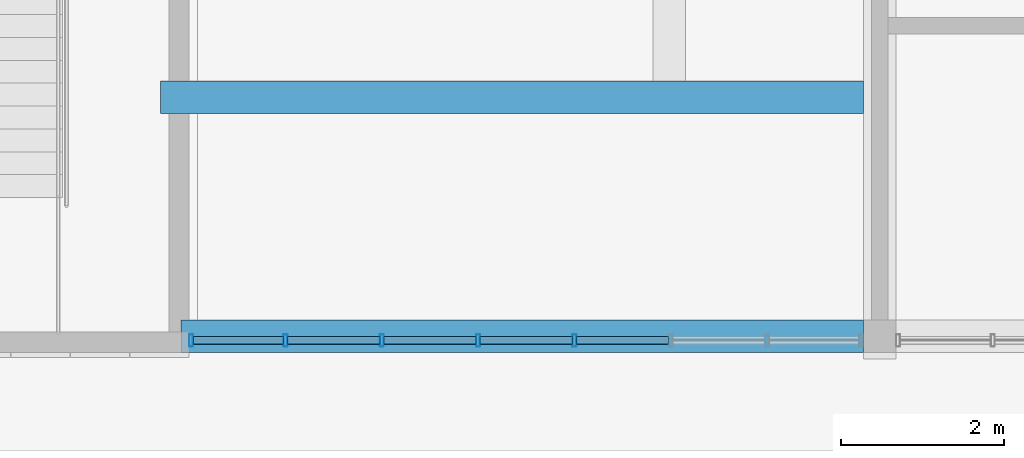
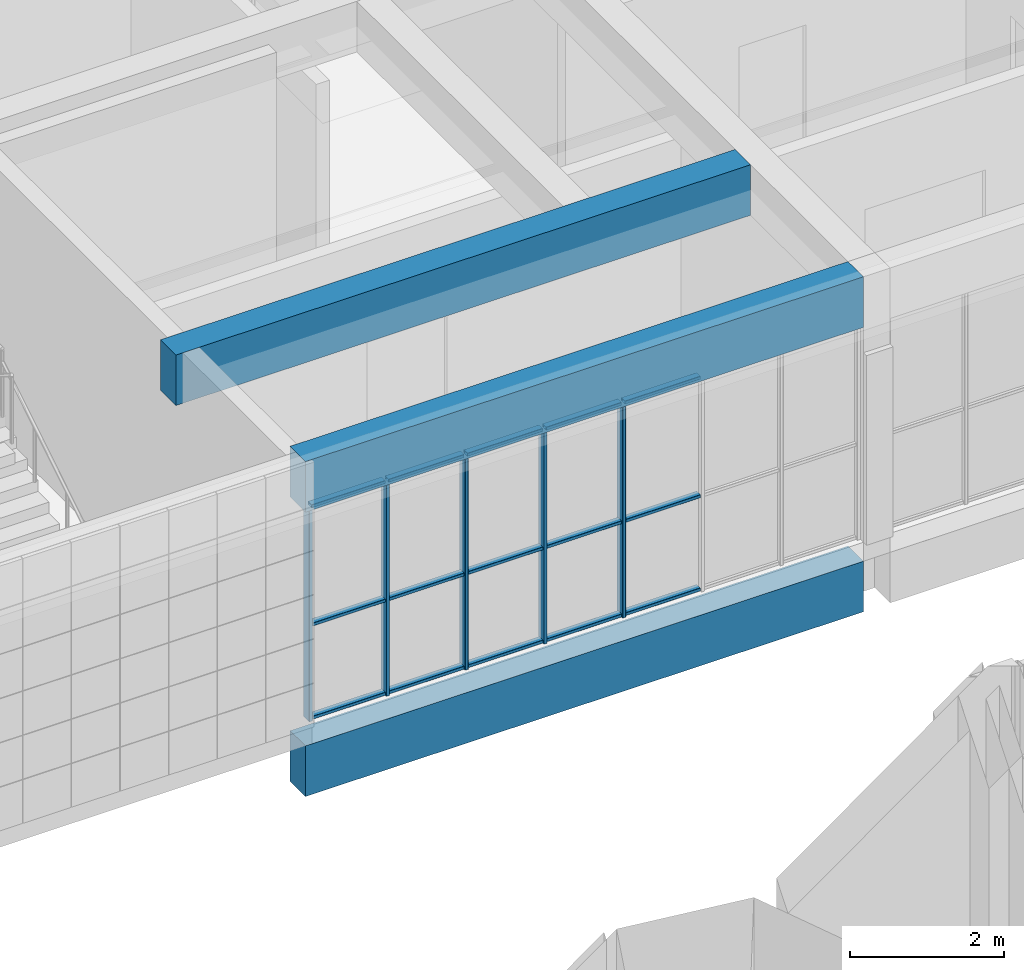
# One storey, part 8 of 92: 20 members, 3 beams, 1 element without a shape of its own.
"""IFC4 building model written with IfcOpenShell, lengths in metres."""

from ifc_helpers import new_model, si_unit, direction, frame, origin, origin_2d, place, context, subcontext, project, spatial, rectangle, hollow_rectangle, extrude, material, material_profile, profile_set, type_object, element, aggregate, save


model = new_model("IFC4")

# Units and contexts
model_context = context("Model", 3, precision=1e-05, world=origin(), true_north=direction((0.0, 1.0)))
body_context = subcontext(model_context, "Body", "Model", "MODEL_VIEW")
ifc_project = project(units=[si_unit("LENGTHUNIT", "METRE"), si_unit("AREAUNIT", "SQUARE_METRE"), si_unit("VOLUMEUNIT", "CUBIC_METRE"), si_unit("PLANEANGLEUNIT", "RADIAN"), si_unit("MASSUNIT", "GRAM", prefix="KILO")], contexts=[model_context])

# Site, building, storey
site_placement = place(None, origin())
site = spatial("IfcSite", under=ifc_project, at=site_placement, CompositionType="ELEMENT")
building_placement = place(site_placement, origin())
building = spatial("IfcBuilding", under=site, at=building_placement, Name="Sun Court Science Centre", CompositionType="ELEMENT")
storey_placement = place(building_placement, frame((0.0, 0.0, 11.25)))
storey = spatial("IfcBuildingStorey", under=building, at=storey_placement, Name="L02", CompositionType="ELEMENT", Elevation=11.25)

# Curtain wall, members
ifc_material_1 = material(Name="Aluminium EN AW-6063 T6", Category="aluminium")
curtain_wall_type = type_object("IfcCurtainWallType", Name="Pavilion curtain wall 1200", PredefinedType="NOTDEFINED", material=ifc_material_1)
curtain_wall_placement = place(storey_placement, origin())
curtain_wall = element("IfcCurtainWall", 1, at=curtain_wall_placement, inside=storey, type_object=curtain_wall_type, Name="Curtain wall V5 S L02 03", PredefinedType="NOTDEFINED")
ifc_material_2 = material(Name="Aluminium EN AW-6063 T6", Category="aluminium")
ifc_material_profile_1 = material_profile(ifc_material_2, hollow_rectangle(XDim=0.050048828125, YDim=0.14990234375, WallThickness=0.00390625, InnerFilletRadius=0.00390625, OuterFilletRadius=0.006103515625, at=origin_2d()), Name="AL 50x150x4")
ifc_profile_set_1 = profile_set([ifc_material_profile_1], Name="Aluminium EN AW-6063 T6")
member_type_1 = type_object("IfcMemberType", Name="Curtain wall mullion AL 50x150", PredefinedType="MULLION", material=ifc_profile_set_1)
member_1_placement = place(storey_placement, frame((42.574951171875, 36.14990234375, 0.0), z_axis=(0.0, 0.0, 1.0), x_axis=(-1.0, 0.0, 0.0)))
member_1 = element("IfcMember", 2, at=member_1_placement, type_object=member_type_1, Name="CW3-10 mullion 8", PredefinedType="MULLION", context=body_context, shape_type="SweptSolid", body=[
    extrude(hollow_rectangle(XDim=0.050048828125, YDim=0.14990234375, WallThickness=0.00390625, InnerFilletRadius=0.00390625, OuterFilletRadius=0.006103515625, at=origin_2d()), origin(), (0.0, 0.0, 1.0), 3.39990234375),
])
member_2_placement = place(storey_placement, frame((43.728515625, 36.14990234375, 0.0), z_axis=(0.0, 0.0, 1.0), x_axis=(-1.0, 0.0, 0.0)))
member_2 = element("IfcMember", 3, at=member_2_placement, type_object=member_type_1, Name="CW3-10 mullion 7", PredefinedType="MULLION", context=body_context, shape_type="SweptSolid", body=[
    extrude(hollow_rectangle(XDim=0.050048828125, YDim=0.14990234375, WallThickness=0.00390625, InnerFilletRadius=0.00390625, OuterFilletRadius=0.006103515625, at=origin_2d()), origin(), (0.0, 0.0, 1.0), 3.39990234375),
])
member_3_placement = place(storey_placement, frame((44.9072265625, 36.14990234375, 0.0), z_axis=(0.0, 0.0, 1.0), x_axis=(-1.0, 0.0, 0.0)))
member_3 = element("IfcMember", 4, at=member_3_placement, type_object=member_type_1, Name="CW3-10 mullion 6", PredefinedType="MULLION", context=body_context, shape_type="SweptSolid", body=[
    extrude(hollow_rectangle(XDim=0.050048828125, YDim=0.14990234375, WallThickness=0.00390625, InnerFilletRadius=0.00390625, OuterFilletRadius=0.006103515625, at=origin_2d()), origin(), (0.0, 0.0, 1.0), 3.39990234375),
])
member_4_placement = place(storey_placement, frame((46.085693359375, 36.14990234375, 0.0), z_axis=(0.0, 0.0, 1.0), x_axis=(-1.0, 0.0, 0.0)))
member_4 = element("IfcMember", 5, at=member_4_placement, type_object=member_type_1, Name="CW3-10 mullion 5", PredefinedType="MULLION", context=body_context, shape_type="SweptSolid", body=[
    extrude(hollow_rectangle(XDim=0.050048828125, YDim=0.14990234375, WallThickness=0.00390625, InnerFilletRadius=0.00390625, OuterFilletRadius=0.006103515625, at=origin_2d()), origin(), (0.0, 0.0, 1.0), 3.39990234375),
])
member_5_placement = place(storey_placement, frame((47.264404296875, 36.14990234375, 0.0), z_axis=(0.0, 0.0, 1.0), x_axis=(-1.0, 0.0, 0.0)))
member_5 = element("IfcMember", 6, at=member_5_placement, type_object=member_type_1, Name="CW3-10 mullion 4", PredefinedType="MULLION", context=body_context, shape_type="SweptSolid", body=[
    extrude(hollow_rectangle(XDim=0.050048828125, YDim=0.14990234375, WallThickness=0.00390625, InnerFilletRadius=0.00390625, OuterFilletRadius=0.006103515625, at=origin_2d()), origin(), (0.0, 0.0, 1.0), 3.39990234375),
])
ifc_material_3 = material(Name="Aluminium EN AW-6063 T6", Category="aluminium")
ifc_material_profile_2 = material_profile(ifc_material_3, hollow_rectangle(XDim=0.050048828125, YDim=0.10009765625, WallThickness=0.00390625, InnerFilletRadius=0.00390625, OuterFilletRadius=0.006103515625, at=origin_2d()), Name="AL 50x100x4")
ifc_profile_set_2 = profile_set([ifc_material_profile_2], Name="Aluminium EN AW-6063 T6")
member_type_2 = type_object("IfcMemberType", Name="Curtain wall transom AL 50x100", PredefinedType="USERDEFINED", material=ifc_profile_set_2)
member_6_placement = place(storey_placement, frame((43.70361328125, 36.14990234375, 0.02490234375), z_axis=(-1.0, 0.0, 0.0), x_axis=(0.0, 0.0, 1.0)))
member_6 = element("IfcMember", 7, at=member_6_placement, type_object=member_type_2, Name="CW3-10 transom 7.1", ObjectType="TRANSOM", PredefinedType="USERDEFINED", context=body_context, shape_type="SweptSolid", body=[
    extrude(hollow_rectangle(XDim=0.050048828125, YDim=0.10009765625, WallThickness=0.00390625, InnerFilletRadius=0.00390625, OuterFilletRadius=0.006103515625, at=origin_2d()), origin(), (0.0, 0.0, 1.0), 1.103515625),
])
member_7_placement = place(storey_placement, frame((44.882080078125, 36.14990234375, 0.02490234375), z_axis=(-1.0, 0.0, 0.0), x_axis=(0.0, 0.0, 1.0)))
member_7 = element("IfcMember", 8, at=member_7_placement, type_object=member_type_2, Name="CW3-10 transom 6.1", ObjectType="TRANSOM", PredefinedType="USERDEFINED", context=body_context, shape_type="SweptSolid", body=[
    extrude(hollow_rectangle(XDim=0.050048828125, YDim=0.10009765625, WallThickness=0.00390625, InnerFilletRadius=0.00390625, OuterFilletRadius=0.006103515625, at=origin_2d()), origin(), (0.0, 0.0, 1.0), 1.12841796875),
])
member_8_placement = place(storey_placement, frame((46.060791015625, 36.14990234375, 0.02490234375), z_axis=(-1.0, 0.0, 0.0), x_axis=(0.0, 0.0, 1.0)))
member_8 = element("IfcMember", 9, at=member_8_placement, type_object=member_type_2, Name="CW3-10 transom 5.1", ObjectType="TRANSOM", PredefinedType="USERDEFINED", context=body_context, shape_type="SweptSolid", body=[
    extrude(hollow_rectangle(XDim=0.050048828125, YDim=0.10009765625, WallThickness=0.00390625, InnerFilletRadius=0.00390625, OuterFilletRadius=0.006103515625, at=origin_2d()), origin(), (0.0, 0.0, 1.0), 1.128662109375),
])
member_9_placement = place(storey_placement, frame((47.2392578125, 36.14990234375, 0.02490234375), z_axis=(-1.0, 0.0, 0.0), x_axis=(0.0, 0.0, 1.0)))
member_9 = element("IfcMember", 10, at=member_9_placement, type_object=member_type_2, Name="CW3-10 transom 4.1", ObjectType="TRANSOM", PredefinedType="USERDEFINED", context=body_context, shape_type="SweptSolid", body=[
    extrude(hollow_rectangle(XDim=0.050048828125, YDim=0.10009765625, WallThickness=0.00390625, InnerFilletRadius=0.00390625, OuterFilletRadius=0.006103515625, at=origin_2d()), origin(), (0.0, 0.0, 1.0), 1.128662109375),
])
member_10_placement = place(storey_placement, frame((48.41796875, 36.14990234375, 0.02490234375), z_axis=(-1.0, 0.0, 0.0), x_axis=(0.0, 0.0, 1.0)))
member_10 = element("IfcMember", 11, at=member_10_placement, type_object=member_type_2, Name="CW3-10 transom 3.1", ObjectType="TRANSOM", PredefinedType="USERDEFINED", context=body_context, shape_type="SweptSolid", body=[
    extrude(hollow_rectangle(XDim=0.050048828125, YDim=0.10009765625, WallThickness=0.00390625, InnerFilletRadius=0.00390625, OuterFilletRadius=0.006103515625, at=origin_2d()), origin(), (0.0, 0.0, 1.0), 1.128662109375),
])
member_11_placement = place(storey_placement, frame((43.70361328125, 36.14990234375, 1.5), z_axis=(-1.0, 0.0, 0.0), x_axis=(0.0, 0.0, 1.0)))
member_11 = element("IfcMember", 12, at=member_11_placement, type_object=member_type_2, Name="CW3-10 transom 7.2", ObjectType="TRANSOM", PredefinedType="USERDEFINED", context=body_context, shape_type="SweptSolid", body=[
    extrude(hollow_rectangle(XDim=0.050048828125, YDim=0.10009765625, WallThickness=0.00390625, InnerFilletRadius=0.00390625, OuterFilletRadius=0.006103515625, at=origin_2d()), origin(), (0.0, 0.0, 1.0), 1.103515625),
])
member_12_placement = place(storey_placement, frame((44.882080078125, 36.14990234375, 1.5), z_axis=(-1.0, 0.0, 0.0), x_axis=(0.0, 0.0, 1.0)))
member_12 = element("IfcMember", 13, at=member_12_placement, type_object=member_type_2, Name="CW3-10 transom 6.2", ObjectType="TRANSOM", PredefinedType="USERDEFINED", context=body_context, shape_type="SweptSolid", body=[
    extrude(hollow_rectangle(XDim=0.050048828125, YDim=0.10009765625, WallThickness=0.00390625, InnerFilletRadius=0.00390625, OuterFilletRadius=0.006103515625, at=origin_2d()), origin(), (0.0, 0.0, 1.0), 1.12841796875),
])
member_13_placement = place(storey_placement, frame((46.060791015625, 36.14990234375, 1.5), z_axis=(-1.0, 0.0, 0.0), x_axis=(0.0, 0.0, 1.0)))
member_13 = element("IfcMember", 14, at=member_13_placement, type_object=member_type_2, Name="CW3-10 transom 5.2", ObjectType="TRANSOM", PredefinedType="USERDEFINED", context=body_context, shape_type="SweptSolid", body=[
    extrude(hollow_rectangle(XDim=0.050048828125, YDim=0.10009765625, WallThickness=0.00390625, InnerFilletRadius=0.00390625, OuterFilletRadius=0.006103515625, at=origin_2d()), origin(), (0.0, 0.0, 1.0), 1.128662109375),
])
member_14_placement = place(storey_placement, frame((47.2392578125, 36.14990234375, 1.5), z_axis=(-1.0, 0.0, 0.0), x_axis=(0.0, 0.0, 1.0)))
member_14 = element("IfcMember", 15, at=member_14_placement, type_object=member_type_2, Name="CW3-10 transom 4.2", ObjectType="TRANSOM", PredefinedType="USERDEFINED", context=body_context, shape_type="SweptSolid", body=[
    extrude(hollow_rectangle(XDim=0.050048828125, YDim=0.10009765625, WallThickness=0.00390625, InnerFilletRadius=0.00390625, OuterFilletRadius=0.006103515625, at=origin_2d()), origin(), (0.0, 0.0, 1.0), 1.128662109375),
])
member_15_placement = place(storey_placement, frame((48.41796875, 36.14990234375, 1.5), z_axis=(-1.0, 0.0, 0.0), x_axis=(0.0, 0.0, 1.0)))
member_15 = element("IfcMember", 16, at=member_15_placement, type_object=member_type_2, Name="CW3-10 transom 3.2", ObjectType="TRANSOM", PredefinedType="USERDEFINED", context=body_context, shape_type="SweptSolid", body=[
    extrude(hollow_rectangle(XDim=0.050048828125, YDim=0.10009765625, WallThickness=0.00390625, InnerFilletRadius=0.00390625, OuterFilletRadius=0.006103515625, at=origin_2d()), origin(), (0.0, 0.0, 1.0), 1.128662109375),
])
member_16_placement = place(storey_placement, frame((43.70361328125, 36.14990234375, 3.375), z_axis=(-1.0, 0.0, 0.0), x_axis=(0.0, 0.0, 1.0)))
member_16 = element("IfcMember", 17, at=member_16_placement, type_object=member_type_2, Name="CW3-10 transom 7.3", ObjectType="TRANSOM", PredefinedType="USERDEFINED", context=body_context, shape_type="SweptSolid", body=[
    extrude(hollow_rectangle(XDim=0.050048828125, YDim=0.10009765625, WallThickness=0.00390625, InnerFilletRadius=0.00390625, OuterFilletRadius=0.006103515625, at=origin_2d()), origin(), (0.0, 0.0, 1.0), 1.103515625),
])
member_17_placement = place(storey_placement, frame((44.882080078125, 36.14990234375, 3.375), z_axis=(-1.0, 0.0, 0.0), x_axis=(0.0, 0.0, 1.0)))
member_17 = element("IfcMember", 18, at=member_17_placement, type_object=member_type_2, Name="CW3-10 transom 6.3", ObjectType="TRANSOM", PredefinedType="USERDEFINED", context=body_context, shape_type="SweptSolid", body=[
    extrude(hollow_rectangle(XDim=0.050048828125, YDim=0.10009765625, WallThickness=0.00390625, InnerFilletRadius=0.00390625, OuterFilletRadius=0.006103515625, at=origin_2d()), origin(), (0.0, 0.0, 1.0), 1.12841796875),
])
member_18_placement = place(storey_placement, frame((46.060791015625, 36.14990234375, 3.375), z_axis=(-1.0, 0.0, 0.0), x_axis=(0.0, 0.0, 1.0)))
member_18 = element("IfcMember", 19, at=member_18_placement, type_object=member_type_2, Name="CW3-10 transom 5.3", ObjectType="TRANSOM", PredefinedType="USERDEFINED", context=body_context, shape_type="SweptSolid", body=[
    extrude(hollow_rectangle(XDim=0.050048828125, YDim=0.10009765625, WallThickness=0.00390625, InnerFilletRadius=0.00390625, OuterFilletRadius=0.006103515625, at=origin_2d()), origin(), (0.0, 0.0, 1.0), 1.128662109375),
])
member_19_placement = place(storey_placement, frame((47.2392578125, 36.14990234375, 3.375), z_axis=(-1.0, 0.0, 0.0), x_axis=(0.0, 0.0, 1.0)))
member_19 = element("IfcMember", 20, at=member_19_placement, type_object=member_type_2, Name="CW3-10 transom 4.3", ObjectType="TRANSOM", PredefinedType="USERDEFINED", context=body_context, shape_type="SweptSolid", body=[
    extrude(hollow_rectangle(XDim=0.050048828125, YDim=0.10009765625, WallThickness=0.00390625, InnerFilletRadius=0.00390625, OuterFilletRadius=0.006103515625, at=origin_2d()), origin(), (0.0, 0.0, 1.0), 1.128662109375),
])
member_20_placement = place(storey_placement, frame((48.41796875, 36.14990234375, 3.375), z_axis=(-1.0, 0.0, 0.0), x_axis=(0.0, 0.0, 1.0)))
member_20 = element("IfcMember", 21, at=member_20_placement, type_object=member_type_2, Name="CW3-10 transom 3.3", ObjectType="TRANSOM", PredefinedType="USERDEFINED", context=body_context, shape_type="SweptSolid", body=[
    extrude(hollow_rectangle(XDim=0.050048828125, YDim=0.10009765625, WallThickness=0.00390625, InnerFilletRadius=0.00390625, OuterFilletRadius=0.006103515625, at=origin_2d()), origin(), (0.0, 0.0, 1.0), 1.128662109375),
])
aggregate(curtain_wall, [member_1, member_2, member_3, member_4, member_5, member_6, member_7, member_8, member_9, member_10, member_11, member_12, member_13, member_14, member_15, member_16, member_17, member_18, member_19, member_20])

# Beams
ifc_material_4 = material(Name="Concrete C25/30", Category="concrete")
ifc_material_profile_3 = material_profile(ifc_material_4, rectangle(XDim=0.39990234375, YDim=0.800048828125, at=origin_2d()), Name="RC 400x800")
ifc_profile_set_3 = profile_set([ifc_material_profile_3], Name="Concrete C25/30")
beam_type = type_object("IfcBeamType", Name="RC girder 400x800", PredefinedType="BEAM", material=ifc_profile_set_3)
for number, where, z_axis, x_axis, name in (
    (22, (42.449951171875, 36.199951171875, -0.699951171875), (1.0, 0.0, 0.0), (0.0, 1.0, 0.0), "Girder L02 row 1"),
    (23, (42.449951171875, 36.199951171875, 3.800048828125), (1.0, 0.0, 0.0), (0.0, 1.0, 0.0), "Girder L03 row 1"),
):
    element("IfcBeam", number, at=place(storey_placement, frame(where, z_axis=z_axis, x_axis=x_axis)), inside=storey, type_object=beam_type, Name=name, PredefinedType="BEAM", context=body_context, shape_type="SweptSolid", body=[
        extrude(rectangle(XDim=0.39990234375, YDim=0.800048828125, at=origin_2d()), origin(), (0.0, 0.0, 1.0), 8.35009765625),
    ])
beam_placement = place(storey_placement, frame((42.199951171875, 39.125, 3.800048828125), z_axis=(1.0, 0.0, 0.0), x_axis=(0.0, 1.0, 0.0)))
element("IfcBeam", 24, at=beam_placement, inside=storey, type_object=beam_type, Name="Roof garden lobby beam south", PredefinedType="BEAM", context=body_context, shape_type="SweptSolid", body=[
    extrude(rectangle(XDim=0.39990234375, YDim=0.800048828125, at=origin_2d()), origin(), (0.0, 0.0, 1.0), 8.60009765625),
])

save(model, "model.ifc")
